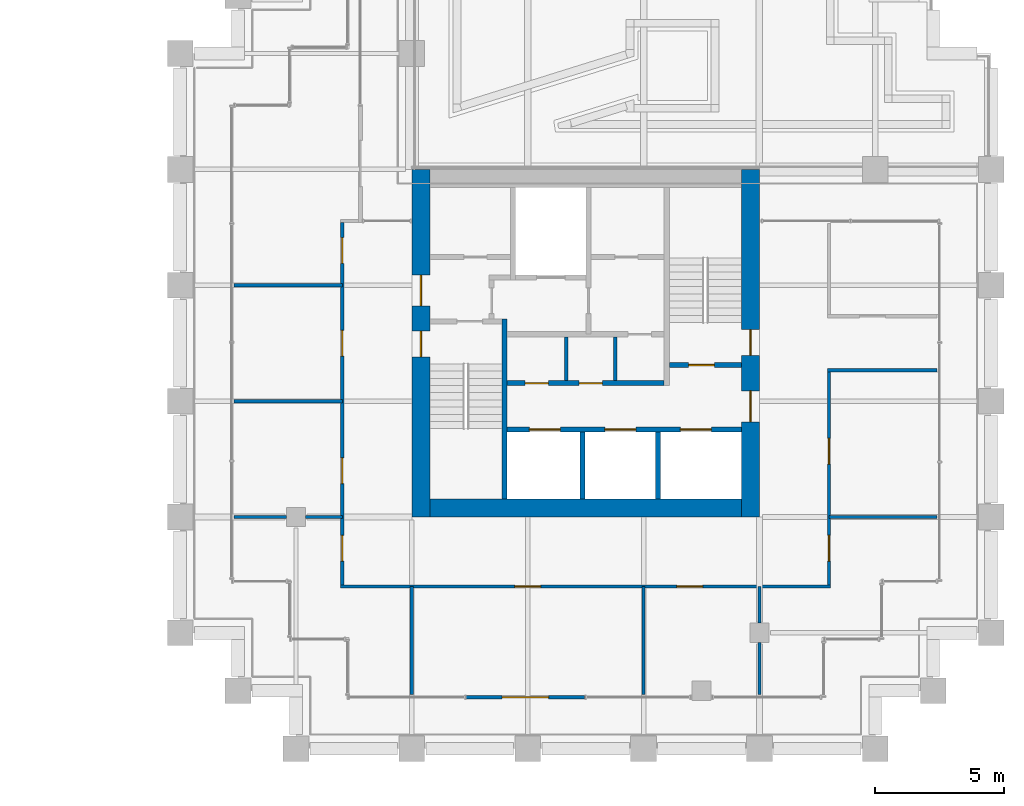
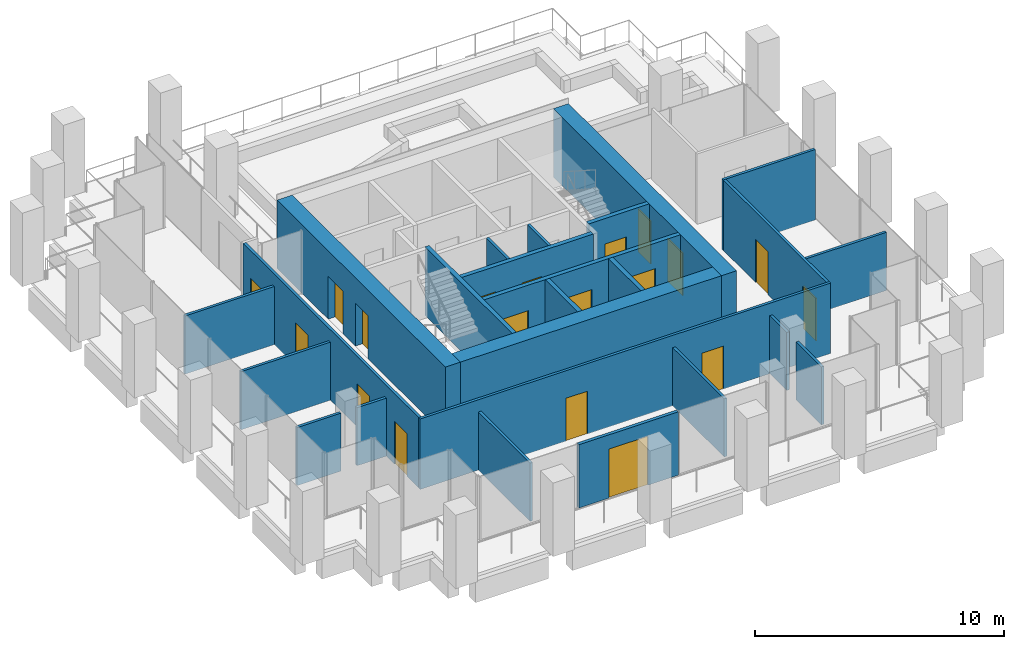
# One storey, part 47 of 52: 25 walls, 19 doors, 19 openings.
"""IFC4 building model written with IfcOpenShell, lengths in metres."""

import ifcopenshell
import ifcopenshell.guid

model = None  # the IFC model being written
_history = None  # IfcOwnerHistory: only IFC2X3 demands one
_inside = {}  # id of a spatial element -> (the spatial element, [elements in it])
_under = {}  # id of a project, library or spatial element -> (it, [spatial elements below it])
_declared = {}  # id of a project -> (the project, [libraries it declares])
_typed = {}  # id of a type object -> (the type object, [elements of that type])
_made_of = {}  # id of a material, layer set ... -> (it, [elements and type objects made of it])


def new_model(schema):
    """Start an empty IFC model of exactly this schema.

    Asked for "IFC4X3", IfcOpenShell would pick the latest addendum, in which some entities
    have other attributes; the version numbers below select the first issue.
    IFC2X3 requires an IfcOwnerHistory on every rooted entity: one is made here for all.
    """
    global model, _history
    if schema == "IFC4X3":
        model = ifcopenshell.file(schema_version=(4, 3, 0, 0))
    else:
        model = ifcopenshell.file(schema=schema)
    _inside.clear()
    _under.clear()
    _declared.clear()
    _typed.clear()
    _made_of.clear()
    _history = None
    if model.schema == "IFC2X3":
        org = make("IfcOrganization", Name="unknown")
        user = make(
            "IfcPersonAndOrganization",
            ThePerson=make("IfcPerson", FamilyName="unknown"),
            TheOrganization=org,
        )
        app = make(
            "IfcApplication",
            ApplicationDeveloper=org,
            Version="unknown",
            ApplicationFullName="unknown",
            ApplicationIdentifier="unknown",
        )
        _history = make(
            "IfcOwnerHistory",
            OwningUser=user,
            OwningApplication=app,
            ChangeAction="ADDED",
            CreationDate=0,
        )
    return model


def make(cls, **values):
    """One entity of the class cls with the attributes given. An attribute that is None is left unset."""
    return model.create_entity(
        cls, **{name: value for name, value in values.items() if value is not None}
    )


def rooted(cls, **values):
    """An entity with a GlobalId (a new one), such as an element, a storey or a relation."""
    return make(cls, GlobalId=ifcopenshell.guid.new(), OwnerHistory=_history, **values)


def si_unit(unit_type, name, prefix=None):
    """IfcSIUnit, for example si_unit("LENGTHUNIT", "METRE", prefix="MILLI")."""
    return make("IfcSIUnit", UnitType=unit_type, Prefix=prefix, Name=name)


def assignment(units):
    """IfcUnitAssignment: the units of a project."""
    return None if units is None else make("IfcUnitAssignment", Units=units)


def point(xyz):
    """IfcCartesianPoint."""
    return None if xyz is None else make("IfcCartesianPoint", Coordinates=xyz)


def direction(xyz):
    """IfcDirection."""
    return None if xyz is None else make("IfcDirection", DirectionRatios=xyz)


def frame(location, z_axis=None, x_axis=None):
    """IfcAxis2Placement3D, a coordinate frame: its origin and axes. An axis left out is left unset."""
    return make(
        "IfcAxis2Placement3D",
        Location=point(location),
        Axis=direction(z_axis),
        RefDirection=direction(x_axis),
    )


def frame_2d(location, x_axis=None):
    """IfcAxis2Placement2D, a coordinate frame in the plane: its origin and x axis."""
    return make(
        "IfcAxis2Placement2D", Location=point(location), RefDirection=direction(x_axis)
    )


def origin():
    """The frame at (0, 0, 0) with its axes left unset."""
    return frame((0.0, 0.0, 0.0))


def place(relative_to, where):
    """IfcLocalPlacement: puts the frame where relative to a parent placement (None: the world)."""
    return make(
        "IfcLocalPlacement", PlacementRelTo=relative_to, RelativePlacement=where
    )


def context(
    kind, dimensions, precision=None, world=None, true_north=None, identifier=None
):
    """IfcGeometricRepresentationContext, for example the 3D "Model" context."""
    return make(
        "IfcGeometricRepresentationContext",
        ContextIdentifier=identifier,
        ContextType=kind,
        CoordinateSpaceDimension=dimensions,
        Precision=precision,
        WorldCoordinateSystem=world,
        TrueNorth=true_north,
    )


def subcontext(parent, identifier, kind, view, scale=None):
    """IfcGeometricRepresentationSubContext, for example "Body" below "Model"."""
    return make(
        "IfcGeometricRepresentationSubContext",
        ContextIdentifier=identifier,
        ContextType=kind,
        ParentContext=parent,
        TargetScale=scale,
        TargetView=view,
    )


def project(units=None, contexts=None):
    """IfcProject with its units and contexts."""
    return rooted(
        "IfcProject",
        Name="project",
        RepresentationContexts=contexts,
        UnitsInContext=assignment(units),
    )


def spatial(cls, under=None, at=None, **own):
    """A site, building, storey or space (cls), placed at a placement, below another one or the project."""
    s = rooted(cls, ObjectPlacement=at, **own)
    if under is not None:
        _under.setdefault(under.id(), (under, []))[1].append(s)
    return s


def profile(cls, at=None, kind="AREA", **sizes):
    """A parametric profile (cls). Its sizes go by their IFC names, for example OverallWidth=200.0."""
    return make(cls, ProfileType=kind, Position=at, **sizes)


def rectangle(**sizes):
    """IfcRectangleProfileDef."""
    return profile("IfcRectangleProfileDef", **sizes)


def extrude(swept, where, along, depth):
    """IfcExtrudedAreaSolid: the profile swept, set in the frame where, extruded along a direction by depth."""
    return make(
        "IfcExtrudedAreaSolid",
        SweptArea=swept,
        Position=where,
        ExtrudedDirection=direction(along),
        Depth=depth,
    )


def shape(context_of_items, identifier, shape_type, items):
    """IfcShapeRepresentation: the items that make up one representation, for example the "Body"."""
    return make(
        "IfcShapeRepresentation",
        ContextOfItems=context_of_items,
        RepresentationIdentifier=identifier,
        RepresentationType=shape_type,
        Items=items,
    )


def material(Name=None, Category=None):
    """IfcMaterial."""
    return make("IfcMaterial", Name=Name, Category=Category)


def layer(
    of_material, thickness, ventilated=None, Name=None, Category=None, Priority=None
):
    """IfcMaterialLayer: one layer of a wall or slab, of a material (None: an air gap)."""
    return make(
        "IfcMaterialLayer",
        Material=of_material,
        LayerThickness=thickness,
        IsVentilated=ventilated,
        Name=Name,
        Category=Category,
        Priority=Priority,
    )


def layer_set(layers, Name=None):
    """IfcMaterialLayerSet."""
    return make("IfcMaterialLayerSet", MaterialLayers=layers, LayerSetName=Name)


def made_of(thing, what):
    """Note that an element or type object is made of a material, layer set ...; save() writes the relation."""
    if what is not None:
        _made_of.setdefault(what.id(), (what, []))[1].append(thing)
    return thing


def type_object(cls, material=None, **own):
    """A type object (cls), such as IfcWallType, which elements share."""
    return made_of(rooted(cls, **own), material)


def element(
    cls,
    number,
    at=None,
    inside=None,
    cuts=None,
    type_object=None,
    material=None,
    context=None,
    identifier="Body",
    shape_type=None,
    held_by="IfcProductDefinitionShape",
    body=None,
    shapes=None,
    **own,
):
    """One element of the class cls, such as IfcWall. Its Tag is "e" and its number.

    at: its placement. inside: the storey or other place that contains it. cuts: it is an
    opening in that element (IfcRelVoidsElement). A single representation is given by context,
    identifier, shape_type and body (its items); several are given by shapes. held_by: the class
    of the entity that holds the representations. save() writes the other relations.
    """
    e = rooted(cls, Tag="e%d" % number, ObjectPlacement=at, **own)
    if body is not None:
        shapes = [shape(context, identifier, shape_type, body)]
    if shapes is not None:
        e.Representation = make(held_by, Representations=shapes)
    if inside is not None:
        _inside.setdefault(inside.id(), (inside, []))[1].append(e)
    if cuts is not None:
        rooted(
            "IfcRelVoidsElement", RelatingBuildingElement=cuts, RelatedOpeningElement=e
        )
    if type_object is not None:
        _typed.setdefault(type_object.id(), (type_object, []))[1].append(e)
    return made_of(e, material)


def fill(opening, filler):
    """IfcRelFillsElement: the door or window that sits in an opening."""
    return rooted(
        "IfcRelFillsElement",
        RelatingOpeningElement=opening,
        RelatedBuildingElement=filler,
    )


def aggregate(whole, parts):
    """IfcRelAggregates: a whole, such as a stair, and the parts it consists of."""
    return rooted("IfcRelAggregates", RelatingObject=whole, RelatedObjects=parts)


def save(model, path):
    """Write the relations noted so far, then the file.

    IfcRelAggregates (storeys below a building ...), IfcRelContainedInSpatialStructure (elements
    in a storey), IfcRelDefinesByType, IfcRelAssociatesMaterial and IfcRelDeclares: one each for
    every whole, place, type object, material and project.
    """
    for whole, parts in _under.values():
        aggregate(whole, parts)
    for where, things in _inside.values():
        rooted(
            "IfcRelContainedInSpatialStructure",
            RelatedElements=things,
            RelatingStructure=where,
        )
    for kind, things in _typed.values():
        rooted("IfcRelDefinesByType", RelatedObjects=things, RelatingType=kind)
    for what, things in _made_of.values():
        rooted("IfcRelAssociatesMaterial", RelatedObjects=things, RelatingMaterial=what)
    for by, libraries in _declared.values():
        rooted("IfcRelDeclares", RelatingContext=by, RelatedDefinitions=libraries)
    model.write(path)


model = new_model("IFC4")

# Units and contexts
model_context = context("Model", 3, precision=1e-05, world=origin(), true_north=direction((0.0, 1.0)))
body_context = subcontext(model_context, "Body", "Model", "MODEL_VIEW")
ifc_project = project(units=[si_unit("LENGTHUNIT", "METRE"), si_unit("AREAUNIT", "SQUARE_METRE"), si_unit("VOLUMEUNIT", "CUBIC_METRE"), si_unit("PLANEANGLEUNIT", "RADIAN"), si_unit("MASSUNIT", "GRAM", prefix="KILO")], contexts=[model_context])

# Site, building, storey
site_placement = place(None, origin())
site = spatial("IfcSite", under=ifc_project, at=site_placement, CompositionType="ELEMENT")
building_placement = place(site_placement, origin())
building = spatial("IfcBuilding", under=site, at=building_placement, Name="Altepetl Exchange Towers", CompositionType="ELEMENT")
storey_placement = place(building_placement, frame((0.0, 0.0, 92.0)))
storey = spatial("IfcBuildingStorey", under=building, at=storey_placement, Name="L22", CompositionType="ELEMENT", Elevation=92.0)

# Wall, openings, doors
ifc_material_1 = material(Name="Concrete C70/85", Category="concrete")
ifc_layer_1 = layer(ifc_material_1, 0.699951171875)
ifc_layer_set_1 = layer_set([ifc_layer_1], Name="Concrete C70/85")
wall_type_1 = type_object("IfcWallType", Name="Core wall 700 reinforced concrete", PredefinedType="SHEAR", material=ifc_layer_set_1)
wall_1_placement = place(storey_placement, frame((116.64990234375, 36.0, 0.0), z_axis=(0.0, 0.0, 1.0), x_axis=(0.0, 1.0, 0.0)))
wall_1 = element("IfcWall", 1, at=wall_1_placement, inside=storey, type_object=wall_type_1, Name="wall:B:L22:K-coreE", PredefinedType="SHEAR", context=body_context, shape_type="SweptSolid", body=[
    extrude(rectangle(XDim=13.5, YDim=0.699951171875, at=frame_2d((6.75, 0.0))), origin(), (0.0, 0.0, 1.0), 3.35009765625),
])
opening_1_placement = place(wall_1_placement, frame((3.699951171875, 0.0, 0.0)))
opening_1 = element("IfcOpeningElement", 2, at=opening_1_placement, cuts=wall_1, Name="Opening L22.B61", PredefinedType="OPENING", context=body_context, shape_type="SweptSolid", body=[
    extrude(rectangle(XDim=1.199951171875, YDim=2.10009765625, at=frame_2d((0.60009765625, 1.050048828125))), frame((0.0, 0.35986328125, 0.0), z_axis=(0.0, -1.0, 0.0), x_axis=(1.0, 0.0, 0.0)), (0.0, 0.0, 1.0), 0.719970703125),
])
opening_2_placement = place(wall_1_placement, frame((6.27490234375, 0.0, 0.0)))
opening_2 = element("IfcOpeningElement", 3, at=opening_2_placement, cuts=wall_1, Name="Opening L22.B65", PredefinedType="OPENING", context=body_context, shape_type="SweptSolid", body=[
    extrude(rectangle(XDim=1.0, YDim=2.10009765625, at=frame_2d((0.5, 1.050048828125))), frame((0.0, 0.35986328125, 0.0), z_axis=(0.0, -1.0, 0.0), x_axis=(1.0, 0.0, 0.0)), (0.0, 0.0, 1.0), 0.719970703125),
])
ifc_material_2 = material(Name="Steel and timber fire door", Category="steel")
door_type_1 = type_object("IfcDoorType", Name="Fire door 1000 x 2100 stair and lobby", OperationType="SINGLE_SWING_LEFT", PredefinedType="DOOR", material=ifc_material_2)
door_1_placement = place(opening_2_placement, origin())
door_1 = element("IfcDoor", 4, at=door_1_placement, inside=storey, type_object=door_type_1, Name="door:B:L22:K-dS2x", OperationType="SINGLE_SWING_LEFT", OverallHeight=2.10009765625, OverallWidth=1.0, PredefinedType="DOOR", context=body_context, shape_type="SweptSolid", body=[
    extrude(rectangle(XDim=1.0, YDim=2.10009765625, at=frame_2d((0.5, 1.050048828125))), frame((0.0, 0.02490234375, 0.0), z_axis=(0.0, -1.0, 0.0), x_axis=(1.0, 0.0, 0.0)), (0.0, 0.0, 1.0), 0.050048828125),
])
fill(opening_2, door_1)
door_type_2 = type_object("IfcDoorType", Name="Fire door 1200 x 2100 lobby entry", OperationType="SINGLE_SWING_LEFT", PredefinedType="DOOR", material=ifc_material_2)
door_2_placement = place(opening_1_placement, origin())
door_2 = element("IfcDoor", 5, at=door_2_placement, inside=storey, type_object=door_type_2, Name="door:B:L22:K-dLSE", OperationType="SINGLE_SWING_RIGHT", OverallHeight=2.10009765625, OverallWidth=1.199951171875, PredefinedType="DOOR", context=body_context, shape_type="SweptSolid", body=[
    extrude(rectangle(XDim=1.199951171875, YDim=2.10009765625, at=frame_2d((0.60009765625, 1.050048828125))), frame((0.0, 0.02490234375, 0.0), z_axis=(0.0, -1.0, 0.0), x_axis=(1.0, 0.0, 0.0)), (0.0, 0.0, 1.0), 0.050048828125),
])
fill(opening_1, door_2)

# Wall
wall_2_placement = place(storey_placement, frame((104.199951171875, 36.35009765625, 0.0)))
element("IfcWall", 6, at=wall_2_placement, inside=storey, type_object=wall_type_1, Name="wall:B:L22:K-coreS", PredefinedType="SHEAR", context=body_context, shape_type="SweptSolid", body=[
    extrude(rectangle(XDim=12.10009765625, YDim=0.699951171875, at=frame_2d((6.050048828125, 0.0))), origin(), (0.0, 0.0, 1.0), 3.35009765625),
])

# Wall, openings, doors
wall_3_placement = place(storey_placement, frame((103.85009765625, 36.0, 0.0), z_axis=(0.0, 0.0, 1.0), x_axis=(0.0, 1.0, 0.0)))
wall_3 = element("IfcWall", 7, at=wall_3_placement, inside=storey, type_object=wall_type_1, Name="wall:B:L22:K-coreW", PredefinedType="SHEAR", context=body_context, shape_type="SweptSolid", body=[
    extrude(rectangle(XDim=13.5, YDim=0.699951171875, at=frame_2d((6.75, 0.0))), origin(), (0.0, 0.0, 1.0), 3.35009765625),
])
opening_3_placement = place(wall_3_placement, frame((8.199951171875, 0.0, 0.0)))
opening_3 = element("IfcOpeningElement", 8, at=opening_3_placement, cuts=wall_3, Name="Opening L22.B60", PredefinedType="OPENING", context=body_context, shape_type="SweptSolid", body=[
    extrude(rectangle(XDim=1.199951171875, YDim=2.10009765625, at=frame_2d((0.60009765625, 1.050048828125))), frame((0.0, 0.35986328125, 0.0), z_axis=(0.0, -1.0, 0.0), x_axis=(1.0, 0.0, 0.0)), (0.0, 0.0, 1.0), 0.719970703125),
])
opening_4_placement = place(wall_3_placement, frame((6.22509765625, 0.0, 0.0)))
opening_4 = element("IfcOpeningElement", 9, at=opening_4_placement, cuts=wall_3, Name="Opening L22.B63", PredefinedType="OPENING", context=body_context, shape_type="SweptSolid", body=[
    extrude(rectangle(XDim=1.0, YDim=2.10009765625, at=frame_2d((0.5, 1.050048828125))), frame((0.0, 0.35986328125, 0.0), z_axis=(0.0, -1.0, 0.0), x_axis=(1.0, 0.0, 0.0)), (0.0, 0.0, 1.0), 0.719970703125),
])
door_3_placement = place(opening_4_placement, frame((1.0, 0.0, 0.0), x_axis=(-1.0, 0.0, 0.0)))
door_3 = element("IfcDoor", 10, at=door_3_placement, inside=storey, type_object=door_type_1, Name="door:B:L22:K-dS1x", OperationType="SINGLE_SWING_RIGHT", OverallHeight=2.10009765625, OverallWidth=1.0, PredefinedType="DOOR", context=body_context, shape_type="SweptSolid", body=[
    extrude(rectangle(XDim=1.0, YDim=2.10009765625, at=frame_2d((0.5, 1.050048828125))), frame((0.0, 0.02490234375, 0.0), z_axis=(0.0, -1.0, 0.0), x_axis=(1.0, 0.0, 0.0)), (0.0, 0.0, 1.0), 0.050048828125),
])
fill(opening_4, door_3)
door_4_placement = place(opening_3_placement, frame((1.199951171875, 0.0, 0.0), x_axis=(-1.0, 0.0, 0.0)))
door_4 = element("IfcDoor", 11, at=door_4_placement, inside=storey, type_object=door_type_2, Name="door:B:L22:K-dLNW", OperationType="SINGLE_SWING_RIGHT", OverallHeight=2.10009765625, OverallWidth=1.199951171875, PredefinedType="DOOR", context=body_context, shape_type="SweptSolid", body=[
    extrude(rectangle(XDim=1.199951171875, YDim=2.10009765625, at=frame_2d((0.60009765625, 1.050048828125))), frame((0.0, 0.02490234375, 0.0), z_axis=(0.0, -1.0, 0.0), x_axis=(1.0, 0.0, 0.0)), (0.0, 0.0, 1.0), 0.050048828125),
])
fill(opening_3, door_4)

# Wall, opening, door
ifc_material_3 = material(Name="Aluminium composite cladding", Category="aluminium")
ifc_layer_2 = layer(ifc_material_3, 0.14990234375)
ifc_layer_set_2 = layer_set([ifc_layer_2], Name="Aluminium composite cladding")
wall_type_2 = type_object("IfcWallType", Name="Infill wall 150 aluminium panel", PredefinedType="SOLIDWALL", material=ifc_layer_set_2)
wall_4_placement = place(storey_placement, frame((105.606201171875, 29.0, 0.0)))
wall_4 = element("IfcWall", 12, at=wall_4_placement, inside=storey, type_object=wall_type_2, Name="Loggia door bay wall", PredefinedType="SOLIDWALL", context=body_context, shape_type="SweptSolid", body=[
    extrude(rectangle(XDim=4.606201171875, YDim=0.14990234375, at=frame_2d((2.30322265625, 0.0))), origin(), (0.0, 0.0, 1.0), 3.10009765625),
])
opening_5_placement = place(wall_4_placement, frame((1.403076171875, 0.0, 0.0)))
opening_5 = element("IfcOpeningElement", 13, at=opening_5_placement, cuts=wall_4, Name="Opening L22.B90", PredefinedType="OPENING", context=body_context, shape_type="SweptSolid", body=[
    extrude(rectangle(XDim=1.800048828125, YDim=2.39990234375, at=frame_2d((0.89990234375, 1.199951171875))), frame((0.0, 0.0849609375, 0.0), z_axis=(0.0, -1.0, 0.0), x_axis=(1.0, 0.0, 0.0)), (0.0, 0.0, 1.0), 0.169921875),
])
ifc_material_4 = material(Name="Aluminium 6063-T6 and glass", Category="aluminium")
door_type_3 = type_object("IfcDoorType", Name="Glazed door pair 1800x2400", OperationType="DOUBLE_DOOR_DOUBLE_SWING", PredefinedType="NOTDEFINED", material=ifc_material_4)
door_5_placement = place(opening_5_placement, frame((1.800048828125, 0.0, 0.0), x_axis=(-1.0, 0.0, 0.0)))
door_5 = element("IfcDoor", 14, at=door_5_placement, inside=storey, type_object=door_type_3, Name="Loggia door", OperationType="DOUBLE_DOOR_DOUBLE_SWING", OverallHeight=2.39990234375, OverallWidth=1.800048828125, PredefinedType="NOTDEFINED", context=body_context, shape_type="SweptSolid", body=[
    extrude(rectangle(XDim=1.800048828125, YDim=2.39990234375, at=frame_2d((0.89990234375, 1.199951171875))), frame((0.0, 0.02490234375, 0.0), z_axis=(0.0, -1.0, 0.0), x_axis=(1.0, 0.0, 0.0)), (0.0, 0.0, 1.0), 0.050048828125),
])
fill(opening_5, door_5)

# Wall, openings, doors
ifc_material_5 = material(Name="Concrete blockwork", Category="masonry")
ifc_layer_3 = layer(ifc_material_5, 0.199951171875)
ifc_layer_set_3 = layer_set([ifc_layer_3], Name="Concrete blockwork")
wall_type_3 = type_object("IfcWallType", Name="Lobby wall 200 blockwork", PredefinedType="PARTITIONING", material=ifc_layer_set_3)
wall_5_placement = place(storey_placement, frame((107.199951171875, 41.199951171875, 0.0)))
wall_5 = element("IfcWall", 15, at=wall_5_placement, inside=storey, type_object=wall_type_3, Name="wall:B:L22:K-zoneS", PredefinedType="PARTITIONING", context=body_context, shape_type="SweptSolid", body=[
    extrude(rectangle(XDim=6.10009765625, YDim=0.199951171875, at=frame_2d((3.050048828125, 0.0))), origin(), (0.0, 0.0, 1.0), 3.35009765625),
])
opening_6_placement = place(wall_5_placement, frame((0.699951171875, 0.0, 0.0)))
opening_6 = element("IfcOpeningElement", 16, at=opening_6_placement, cuts=wall_5, Name="Opening L22.B70", PredefinedType="OPENING", context=body_context, shape_type="SweptSolid", body=[
    extrude(rectangle(XDim=0.89990234375, YDim=2.10009765625, at=frame_2d((0.449951171875, 1.050048828125))), frame((0.0, 0.10986328125, 0.0), z_axis=(0.0, -1.0, 0.0), x_axis=(1.0, 0.0, 0.0)), (0.0, 0.0, 1.0), 0.219970703125),
])
opening_7_placement = place(wall_5_placement, frame((2.800048828125, 0.0, 0.0)))
opening_7 = element("IfcOpeningElement", 17, at=opening_7_placement, cuts=wall_5, Name="Opening L22.B71", PredefinedType="OPENING", context=body_context, shape_type="SweptSolid", body=[
    extrude(rectangle(XDim=0.89990234375, YDim=2.10009765625, at=frame_2d((0.449951171875, 1.050048828125))), frame((0.0, 0.10986328125, 0.0), z_axis=(0.0, -1.0, 0.0), x_axis=(1.0, 0.0, 0.0)), (0.0, 0.0, 1.0), 0.219970703125),
])
door_type_4 = type_object("IfcDoorType", Name="Fire door 900 x 2100 service room", OperationType="SINGLE_SWING_LEFT", PredefinedType="DOOR", material=ifc_material_2)
door_6_placement = place(opening_6_placement, origin())
door_6 = element("IfcDoor", 18, at=door_6_placement, inside=storey, type_object=door_type_4, Name="door:B:L22:K-dz1", OperationType="SINGLE_SWING_RIGHT", OverallHeight=2.10009765625, OverallWidth=0.89990234375, PredefinedType="DOOR", context=body_context, shape_type="SweptSolid", body=[
    extrude(rectangle(XDim=0.89990234375, YDim=2.10009765625, at=frame_2d((0.449951171875, 1.050048828125))), frame((0.0, 0.02490234375, 0.0), z_axis=(0.0, -1.0, 0.0), x_axis=(1.0, 0.0, 0.0)), (0.0, 0.0, 1.0), 0.050048828125),
])
fill(opening_6, door_6)
door_7_placement = place(opening_7_placement, origin())
door_7 = element("IfcDoor", 19, at=door_7_placement, inside=storey, type_object=door_type_4, Name="door:B:L22:K-dz2", OperationType="SINGLE_SWING_RIGHT", OverallHeight=2.10009765625, OverallWidth=0.89990234375, PredefinedType="DOOR", context=body_context, shape_type="SweptSolid", body=[
    extrude(rectangle(XDim=0.89990234375, YDim=2.10009765625, at=frame_2d((0.449951171875, 1.050048828125))), frame((0.0, 0.02490234375, 0.0), z_axis=(0.0, -1.0, 0.0), x_axis=(1.0, 0.0, 0.0)), (0.0, 0.0, 1.0), 0.050048828125),
])
fill(opening_7, door_7)

# Walls
ifc_material_6 = material(Name="Timber panels on aluminium track", Category="wood")
ifc_layer_4 = layer(ifc_material_6, 0.125)
ifc_layer_set_4 = layer_set([ifc_layer_4], Name="Timber panels on aluminium track")
wall_type_4 = type_object("IfcWallType", Name="Operable acoustic partition 125", PredefinedType="MOVABLE", material=ifc_layer_set_4)
wall_6_placement = place(storey_placement, frame((96.60009765625, 40.5, 0.0)))
element("IfcWall", 20, at=wall_6_placement, inside=storey, type_object=wall_type_4, Name="wall:B:L22:P05", PredefinedType="MOVABLE", context=body_context, shape_type="SweptSolid", body=[
    extrude(rectangle(XDim=4.199951171875, YDim=0.125, at=frame_2d((2.10009765625, 0.0))), origin(), (0.0, 0.0, 1.0), 2.85107421875),
])
ifc_material_7 = material(Name="Gypsum board on steel studs", Category="steel")
ifc_layer_5 = layer(ifc_material_7, 0.125)
ifc_layer_set_5 = layer_set([ifc_layer_5], Name="Gypsum board on steel studs")
wall_type_5 = type_object("IfcWallType", Name="Partition 125 gypsum board on steel studs", PredefinedType="PARTITIONING", material=ifc_layer_set_5)
for number, where, z_axis, x_axis, name in (
    (21, (109.5, 41.300048828125, 0.0), (0.0, 0.0, 1.0), (0.0, 1.0, 0.0), "wall:B:L22:K-zp1"),
    (22, (111.39990234375, 41.300048828125, 0.0), (0.0, 0.0, 1.0), (0.0, 1.0, 0.0), "wall:B:L22:K-zp2"),
):
    element("IfcWall", number, at=place(storey_placement, frame(where, z_axis=z_axis, x_axis=x_axis)), inside=storey, type_object=wall_type_5, Name=name, PredefinedType="PARTITIONING", context=body_context, shape_type="SweptSolid", body=[
        extrude(rectangle(XDim=1.699951171875, YDim=0.125, at=frame_2d((0.85009765625, 0.0))), origin(), (0.0, 0.0, 1.0), 3.35009765625),
    ])

# Wall, openings, doors
wall_7_placement = place(storey_placement, frame((100.737548828125, 33.300048828125, 0.0)))
wall_7 = element("IfcWall", 23, at=wall_7_placement, inside=storey, type_object=wall_type_5, Name="wall:B:L22:P01", PredefinedType="PARTITIONING", context=body_context, shape_type="SweptSolid", body=[
    extrude(rectangle(XDim=19.02490234375, YDim=0.125, at=frame_2d((9.512451171875, 0.0))), origin(), (0.0, 0.0, 1.0), 3.449951171875),
])
opening_8_placement = place(wall_7_placement, frame((6.762451171875, 0.0, 0.0)))
opening_8 = element("IfcOpeningElement", 24, at=opening_8_placement, cuts=wall_7, Name="Opening L22.B04", PredefinedType="OPENING", context=body_context, shape_type="SweptSolid", body=[
    extrude(rectangle(XDim=1.0, YDim=2.10009765625, at=frame_2d((0.5, 1.050048828125))), frame((0.0, 0.072509765625, 0.0), z_axis=(0.0, -1.0, 0.0), x_axis=(1.0, 0.0, 0.0)), (0.0, 0.0, 1.0), 0.14501953125),
])
opening_9_placement = place(wall_7_placement, frame((13.0576171875, 0.0, 0.0)))
opening_9 = element("IfcOpeningElement", 25, at=opening_9_placement, cuts=wall_7, Name="Opening L22.B05", PredefinedType="OPENING", context=body_context, shape_type="SweptSolid", body=[
    extrude(rectangle(XDim=1.0, YDim=2.10009765625, at=frame_2d((0.5, 1.050048828125))), frame((0.0, 0.072509765625, 0.0), z_axis=(0.0, -1.0, 0.0), x_axis=(1.0, 0.0, 0.0)), (0.0, 0.0, 1.0), 0.14501953125),
])
door_type_5 = type_object("IfcDoorType", Name="Fire door 1000 x 2100 single leaf", OperationType="SINGLE_SWING_LEFT", PredefinedType="DOOR", material=ifc_material_2)
door_8_placement = place(opening_8_placement, frame((1.0, 0.0, 0.0), x_axis=(-1.0, 0.0, 0.0)))
door_8 = element("IfcDoor", 26, at=door_8_placement, inside=storey, type_object=door_type_5, Name="door:B:L22:04", OperationType="SINGLE_SWING_RIGHT", OverallHeight=2.10009765625, OverallWidth=1.0, PredefinedType="DOOR", context=body_context, shape_type="SweptSolid", body=[
    extrude(rectangle(XDim=1.0, YDim=2.10009765625, at=frame_2d((0.5, 1.050048828125))), frame((0.0, 0.02490234375, 0.0), z_axis=(0.0, -1.0, 0.0), x_axis=(1.0, 0.0, 0.0)), (0.0, 0.0, 1.0), 0.050048828125),
])
fill(opening_8, door_8)
door_9_placement = place(opening_9_placement, frame((1.0, 0.0, 0.0), x_axis=(-1.0, 0.0, 0.0)))
door_9 = element("IfcDoor", 27, at=door_9_placement, inside=storey, type_object=door_type_5, Name="door:B:L22:05", OperationType="SINGLE_SWING_RIGHT", OverallHeight=2.10009765625, OverallWidth=1.0, PredefinedType="DOOR", context=body_context, shape_type="SweptSolid", body=[
    extrude(rectangle(XDim=1.0, YDim=2.10009765625, at=frame_2d((0.5, 1.050048828125))), frame((0.0, 0.02490234375, 0.0), z_axis=(0.0, -1.0, 0.0), x_axis=(1.0, 0.0, 0.0)), (0.0, 0.0, 1.0), 0.050048828125),
])
fill(opening_9, door_9)

# Walls
wall_8_placement = place(storey_placement, frame((96.60009765625, 36.0, 0.0)))
element("IfcWall", 28, at=wall_8_placement, inside=storey, type_object=wall_type_5, Name="wall:B:L22:P02", PredefinedType="PARTITIONING", context=body_context, shape_type="SweptSolid", body=[
    extrude(rectangle(XDim=2.02490234375, YDim=0.125, at=frame_2d((1.012451171875, 0.0))), origin(), (0.0, 0.0, 1.0), 2.842041015625),
])
wall_9_placement = place(storey_placement, frame((99.375, 36.0, 0.0)))
element("IfcWall", 29, at=wall_9_placement, inside=storey, type_object=wall_type_5, Name="wall:B:L22:P03", PredefinedType="PARTITIONING", context=body_context, shape_type="SweptSolid", body=[
    extrude(rectangle(XDim=1.425048828125, YDim=0.125, at=frame_2d((0.71240234375, 0.0))), origin(), (0.0, 0.0, 1.0), 2.842041015625),
])
wall_10_placement = place(storey_placement, frame((119.699951171875, 36.0, 0.0)))
element("IfcWall", 30, at=wall_10_placement, inside=storey, type_object=wall_type_5, Name="wall:B:L22:P04", PredefinedType="PARTITIONING", context=body_context, shape_type="SweptSolid", body=[
    extrude(rectangle(XDim=4.199951171875, YDim=0.125, at=frame_2d((2.10009765625, 0.0))), origin(), (0.0, 0.0, 1.0), 2.85107421875),
])
wall_11_placement = place(storey_placement, frame((119.637451171875, 41.699951171875, 0.0)))
element("IfcWall", 31, at=wall_11_placement, inside=storey, type_object=wall_type_5, Name="wall:B:L22:P06", PredefinedType="PARTITIONING", context=body_context, shape_type="SweptSolid", body=[
    extrude(rectangle(XDim=4.262451171875, YDim=0.125, at=frame_2d((2.13134765625, 0.0))), origin(), (0.0, 0.0, 1.0), 3.449951171875),
])
wall_12_placement = place(storey_placement, frame((96.60009765625, 45.0, 0.0)))
element("IfcWall", 32, at=wall_12_placement, inside=storey, type_object=wall_type_5, Name="wall:B:L22:P08", PredefinedType="PARTITIONING", context=body_context, shape_type="SweptSolid", body=[
    extrude(rectangle(XDim=4.199951171875, YDim=0.125, at=frame_2d((2.10009765625, 0.0))), origin(), (0.0, 0.0, 1.0), 2.85107421875),
])

# Wall, openings, doors
wall_13_placement = place(storey_placement, frame((100.800048828125, 33.362548828125, 0.0), z_axis=(0.0, 0.0, 1.0), x_axis=(0.0, 1.0, 0.0)))
wall_13 = element("IfcWall", 33, at=wall_13_placement, inside=storey, type_object=wall_type_5, Name="wall:B:L22:P10", PredefinedType="PARTITIONING", context=body_context, shape_type="SweptSolid", body=[
    extrude(rectangle(XDim=14.074951171875, YDim=0.125, at=frame_2d((7.03759765625, 0.0))), origin(), (0.0, 0.0, 1.0), 3.449951171875),
])
opening_10_placement = place(wall_13_placement, frame((8.887451171875, 0.0, 0.0)))
opening_10 = element("IfcOpeningElement", 34, at=opening_10_placement, cuts=wall_13, Name="Opening L22.B01", PredefinedType="OPENING", context=body_context, shape_type="SweptSolid", body=[
    extrude(rectangle(XDim=1.0, YDim=2.10009765625, at=frame_2d((0.5, 1.050048828125))), frame((0.0, 0.072509765625, 0.0), z_axis=(0.0, -1.0, 0.0), x_axis=(1.0, 0.0, 0.0)), (0.0, 0.0, 1.0), 0.14501953125),
])
opening_11_placement = place(wall_13_placement, frame((3.9326171875, 0.0, 0.0)))
opening_11 = element("IfcOpeningElement", 35, at=opening_11_placement, cuts=wall_13, Name="Opening L22.B02", PredefinedType="OPENING", context=body_context, shape_type="SweptSolid", body=[
    extrude(rectangle(XDim=1.0, YDim=2.10009765625, at=frame_2d((0.5, 1.050048828125))), frame((0.0, 0.072509765625, 0.0), z_axis=(0.0, -1.0, 0.0), x_axis=(1.0, 0.0, 0.0)), (0.0, 0.0, 1.0), 0.14501953125),
])
opening_12_placement = place(wall_13_placement, frame((0.927490234375, 0.0, 0.0)))
opening_12 = element("IfcOpeningElement", 36, at=opening_12_placement, cuts=wall_13, Name="Opening L22.B03", PredefinedType="OPENING", context=body_context, shape_type="SweptSolid", body=[
    extrude(rectangle(XDim=1.0, YDim=2.10009765625, at=frame_2d((0.5, 1.050048828125))), frame((0.0, 0.072509765625, 0.0), z_axis=(0.0, -1.0, 0.0), x_axis=(1.0, 0.0, 0.0)), (0.0, 0.0, 1.0), 0.14501953125),
])
opening_13_placement = place(wall_13_placement, frame((12.492431640625, 0.0, 0.0)))
opening_13 = element("IfcOpeningElement", 37, at=opening_13_placement, cuts=wall_13, Name="Opening L22.B09", PredefinedType="OPENING", context=body_context, shape_type="SweptSolid", body=[
    extrude(rectangle(XDim=1.0, YDim=2.10009765625, at=frame_2d((0.5, 1.050048828125))), frame((0.0, 0.072509765625, 0.0), z_axis=(0.0, -1.0, 0.0), x_axis=(1.0, 0.0, 0.0)), (0.0, 0.0, 1.0), 0.14501953125),
])
door_10_placement = place(opening_10_placement, origin())
door_10 = element("IfcDoor", 38, at=door_10_placement, inside=storey, type_object=door_type_5, Name="door:B:L22:01", OperationType="SINGLE_SWING_RIGHT", OverallHeight=2.10009765625, OverallWidth=1.0, PredefinedType="DOOR", context=body_context, shape_type="SweptSolid", body=[
    extrude(rectangle(XDim=1.0, YDim=2.10009765625, at=frame_2d((0.5, 1.050048828125))), frame((0.0, 0.02490234375, 0.0), z_axis=(0.0, -1.0, 0.0), x_axis=(1.0, 0.0, 0.0)), (0.0, 0.0, 1.0), 0.050048828125),
])
fill(opening_10, door_10)
door_11_placement = place(opening_11_placement, origin())
door_11 = element("IfcDoor", 39, at=door_11_placement, inside=storey, type_object=door_type_5, Name="door:B:L22:02", OperationType="SINGLE_SWING_LEFT", OverallHeight=2.10009765625, OverallWidth=1.0, PredefinedType="DOOR", context=body_context, shape_type="SweptSolid", body=[
    extrude(rectangle(XDim=1.0, YDim=2.10009765625, at=frame_2d((0.5, 1.050048828125))), frame((0.0, 0.02490234375, 0.0), z_axis=(0.0, -1.0, 0.0), x_axis=(1.0, 0.0, 0.0)), (0.0, 0.0, 1.0), 0.050048828125),
])
fill(opening_11, door_11)
door_12_placement = place(opening_12_placement, frame((1.0, 0.0, 0.0), x_axis=(-1.0, 0.0, 0.0)))
door_12 = element("IfcDoor", 40, at=door_12_placement, inside=storey, type_object=door_type_5, Name="door:B:L22:03", OperationType="SINGLE_SWING_RIGHT", OverallHeight=2.10009765625, OverallWidth=1.0, PredefinedType="DOOR", context=body_context, shape_type="SweptSolid", body=[
    extrude(rectangle(XDim=1.0, YDim=2.10009765625, at=frame_2d((0.5, 1.050048828125))), frame((0.0, 0.02490234375, 0.0), z_axis=(0.0, -1.0, 0.0), x_axis=(1.0, 0.0, 0.0)), (0.0, 0.0, 1.0), 0.050048828125),
])
fill(opening_12, door_12)
door_13_placement = place(opening_13_placement, origin())
door_13 = element("IfcDoor", 41, at=door_13_placement, inside=storey, type_object=door_type_5, Name="door:B:L22:09", OperationType="SINGLE_SWING_RIGHT", OverallHeight=2.10009765625, OverallWidth=1.0, PredefinedType="DOOR", context=body_context, shape_type="SweptSolid", body=[
    extrude(rectangle(XDim=1.0, YDim=2.10009765625, at=frame_2d((0.5, 1.050048828125))), frame((0.0, 0.02490234375, 0.0), z_axis=(0.0, -1.0, 0.0), x_axis=(1.0, 0.0, 0.0)), (0.0, 0.0, 1.0), 0.050048828125),
])
fill(opening_13, door_13)

# Walls
for number, where, z_axis, x_axis, name in (
    (42, (103.5, 29.10009765625, 0.0), (0.0, 0.0, 1.0), (0.0, 1.0, 0.0), "wall:B:L22:P11"),
    (43, (112.5, 29.10009765625, 0.0), (0.0, 0.0, 1.0), (0.0, 1.0, 0.0), "wall:B:L22:P12"),
):
    element("IfcWall", number, at=place(storey_placement, frame(where, z_axis=z_axis, x_axis=x_axis)), inside=storey, type_object=wall_type_5, Name=name, PredefinedType="PARTITIONING", context=body_context, shape_type="SweptSolid", body=[
        extrude(rectangle(XDim=4.199951171875, YDim=0.125, at=frame_2d((2.10009765625, 0.0))), origin(), (0.0, 0.0, 1.0), 2.85107421875),
    ])
wall_14_placement = place(storey_placement, frame((117.0, 29.10009765625, 0.0), z_axis=(0.0, 0.0, 1.0), x_axis=(0.0, 1.0, 0.0)))
element("IfcWall", 44, at=wall_14_placement, inside=storey, type_object=wall_type_5, Name="wall:B:L22:P13", PredefinedType="PARTITIONING", context=body_context, shape_type="SweptSolid", body=[
    extrude(rectangle(XDim=2.02490234375, YDim=0.125, at=frame_2d((1.012451171875, 0.0))), origin(), (0.0, 0.0, 1.0), 2.842041015625),
])
wall_15_placement = place(storey_placement, frame((117.0, 31.875, 0.0), z_axis=(0.0, 0.0, 1.0), x_axis=(0.0, 1.0, 0.0)))
element("IfcWall", 45, at=wall_15_placement, inside=storey, type_object=wall_type_5, Name="wall:B:L22:P14", PredefinedType="PARTITIONING", context=body_context, shape_type="SweptSolid", body=[
    extrude(rectangle(XDim=1.425048828125, YDim=0.125, at=frame_2d((0.71240234375, 0.0))), origin(), (0.0, 0.0, 1.0), 2.842041015625),
])

# Wall, openings, doors
wall_16_placement = place(storey_placement, frame((119.699951171875, 33.362548828125, 0.0), z_axis=(0.0, 0.0, 1.0), x_axis=(0.0, 1.0, 0.0)))
wall_16 = element("IfcWall", 46, at=wall_16_placement, inside=storey, type_object=wall_type_5, Name="wall:B:L22:P15", PredefinedType="PARTITIONING", context=body_context, shape_type="SweptSolid", body=[
    extrude(rectangle(XDim=8.27490234375, YDim=0.125, at=frame_2d((4.137451171875, 0.0))), origin(), (0.0, 0.0, 1.0), 3.449951171875),
])
opening_14_placement = place(wall_16_placement, frame((0.927490234375, 0.0, 0.0)))
opening_14 = element("IfcOpeningElement", 47, at=opening_14_placement, cuts=wall_16, Name="Opening L22.B06", PredefinedType="OPENING", context=body_context, shape_type="SweptSolid", body=[
    extrude(rectangle(XDim=1.0, YDim=2.10009765625, at=frame_2d((0.5, 1.050048828125))), frame((0.0, 0.072509765625, 0.0), z_axis=(0.0, -1.0, 0.0), x_axis=(1.0, 0.0, 0.0)), (0.0, 0.0, 1.0), 0.14501953125),
])
opening_15_placement = place(wall_16_placement, frame((4.6875, 0.0, 0.0)))
opening_15 = element("IfcOpeningElement", 48, at=opening_15_placement, cuts=wall_16, Name="Opening L22.B07", PredefinedType="OPENING", context=body_context, shape_type="SweptSolid", body=[
    extrude(rectangle(XDim=1.0, YDim=2.10009765625, at=frame_2d((0.5, 1.050048828125))), frame((0.0, 0.072509765625, 0.0), z_axis=(0.0, -1.0, 0.0), x_axis=(1.0, 0.0, 0.0)), (0.0, 0.0, 1.0), 0.14501953125),
])
door_14_placement = place(opening_14_placement, origin())
door_14 = element("IfcDoor", 49, at=door_14_placement, inside=storey, type_object=door_type_5, Name="door:B:L22:06", OperationType="SINGLE_SWING_LEFT", OverallHeight=2.10009765625, OverallWidth=1.0, PredefinedType="DOOR", context=body_context, shape_type="SweptSolid", body=[
    extrude(rectangle(XDim=1.0, YDim=2.10009765625, at=frame_2d((0.5, 1.050048828125))), frame((0.0, 0.02490234375, 0.0), z_axis=(0.0, -1.0, 0.0), x_axis=(1.0, 0.0, 0.0)), (0.0, 0.0, 1.0), 0.050048828125),
])
fill(opening_14, door_14)
door_15_placement = place(opening_15_placement, frame((1.0, 0.0, 0.0), x_axis=(-1.0, 0.0, 0.0)))
door_15 = element("IfcDoor", 50, at=door_15_placement, inside=storey, type_object=door_type_5, Name="door:B:L22:07", OperationType="SINGLE_SWING_LEFT", OverallHeight=2.10009765625, OverallWidth=1.0, PredefinedType="DOOR", context=body_context, shape_type="SweptSolid", body=[
    extrude(rectangle(XDim=1.0, YDim=2.10009765625, at=frame_2d((0.5, 1.050048828125))), frame((0.0, 0.02490234375, 0.0), z_axis=(0.0, -1.0, 0.0), x_axis=(1.0, 0.0, 0.0)), (0.0, 0.0, 1.0), 0.050048828125),
])
fill(opening_15, door_15)

# Walls
ifc_material_8 = material(Name="Concrete C40/50", Category="concrete")
ifc_layer_6 = layer(ifc_material_8, 0.199951171875)
ifc_layer_set_6 = layer_set([ifc_layer_6], Name="Concrete C40/50")
wall_type_6 = type_object("IfcWallType", Name="Shaft wall 200 reinforced concrete", PredefinedType="SHEAR", material=ifc_layer_set_6)
for number, where, z_axis, x_axis, name in (
    (51, (110.13330078125, 36.699951171875, 0.0), (0.0, 0.0, 1.0), (0.0, 1.0, 0.0), "wall:B:L22:K-divS1"),
    (52, (113.066650390625, 36.699951171875, 0.0), (0.0, 0.0, 1.0), (0.0, 1.0, 0.0), "wall:B:L22:K-divS2"),
):
    element("IfcWall", number, at=place(storey_placement, frame(where, z_axis=z_axis, x_axis=x_axis)), inside=storey, type_object=wall_type_6, Name=name, PredefinedType="SHEAR", context=body_context, shape_type="SweptSolid", body=[
        extrude(rectangle(XDim=2.60009765625, YDim=0.199951171875, at=frame_2d((1.300048828125, 0.0))), origin(), (0.0, 0.0, 1.0), 3.35009765625),
    ])

# Wall, openings, doors
wall_17_placement = place(storey_placement, frame((107.199951171875, 39.39990234375, 0.0)))
wall_17 = element("IfcWall", 53, at=wall_17_placement, inside=storey, type_object=wall_type_6, Name="wall:B:L22:K-frontS", PredefinedType="SHEAR", context=body_context, shape_type="SweptSolid", body=[
    extrude(rectangle(XDim=9.10009765625, YDim=0.199951171875, at=frame_2d((4.550048828125, 0.0))), origin(), (0.0, 0.0, 1.0), 3.35009765625),
])
opening_16_placement = place(wall_17_placement, frame((0.86669921875, 0.0, 0.0)))
opening_16 = element("IfcOpeningElement", 54, at=opening_16_placement, cuts=wall_17, Name="Opening L22.B74", PredefinedType="OPENING", context=body_context, shape_type="SweptSolid", body=[
    extrude(rectangle(XDim=1.199951171875, YDim=2.10009765625, at=frame_2d((0.60009765625, 1.050048828125))), frame((0.0, 0.10986328125, 0.0), z_axis=(0.0, -1.0, 0.0), x_axis=(1.0, 0.0, 0.0)), (0.0, 0.0, 1.0), 0.219970703125),
])
opening_17_placement = place(wall_17_placement, frame((3.800048828125, 0.0, 0.0)))
opening_17 = element("IfcOpeningElement", 55, at=opening_17_placement, cuts=wall_17, Name="Opening L22.B75", PredefinedType="OPENING", context=body_context, shape_type="SweptSolid", body=[
    extrude(rectangle(XDim=1.199951171875, YDim=2.10009765625, at=frame_2d((0.60009765625, 1.050048828125))), frame((0.0, 0.10986328125, 0.0), z_axis=(0.0, -1.0, 0.0), x_axis=(1.0, 0.0, 0.0)), (0.0, 0.0, 1.0), 0.219970703125),
])
opening_18_placement = place(wall_17_placement, frame((6.7333984375, 0.0, 0.0)))
opening_18 = element("IfcOpeningElement", 56, at=opening_18_placement, cuts=wall_17, Name="Opening L22.B76", PredefinedType="OPENING", context=body_context, shape_type="SweptSolid", body=[
    extrude(rectangle(XDim=1.199951171875, YDim=2.10009765625, at=frame_2d((0.60009765625, 1.050048828125))), frame((0.0, 0.10986328125, 0.0), z_axis=(0.0, -1.0, 0.0), x_axis=(1.0, 0.0, 0.0)), (0.0, 0.0, 1.0), 0.219970703125),
])
ifc_material_9 = material(Name="Stainless steel", Category="steel")
door_type_6 = type_object("IfcDoorType", Name="Lift landing door 1200 x 2100", OperationType="SLIDING_TO_LEFT", PredefinedType="DOOR", material=ifc_material_9)
door_16_placement = place(opening_16_placement, origin())
door_16 = element("IfcDoor", 57, at=door_16_placement, inside=storey, type_object=door_type_6, Name="Landing door P1", OperationType="SLIDING_TO_LEFT", OverallHeight=2.10009765625, OverallWidth=1.199951171875, PredefinedType="DOOR", context=body_context, shape_type="SweptSolid", body=[
    extrude(rectangle(XDim=1.199951171875, YDim=2.10009765625, at=frame_2d((0.60009765625, 1.050048828125))), frame((0.0, 0.02490234375, 0.0), z_axis=(0.0, -1.0, 0.0), x_axis=(1.0, 0.0, 0.0)), (0.0, 0.0, 1.0), 0.050048828125),
])
fill(opening_16, door_16)
door_17_placement = place(opening_17_placement, origin())
door_17 = element("IfcDoor", 58, at=door_17_placement, inside=storey, type_object=door_type_6, Name="Landing door P2", OperationType="SLIDING_TO_LEFT", OverallHeight=2.10009765625, OverallWidth=1.199951171875, PredefinedType="DOOR", context=body_context, shape_type="SweptSolid", body=[
    extrude(rectangle(XDim=1.199951171875, YDim=2.10009765625, at=frame_2d((0.60009765625, 1.050048828125))), frame((0.0, 0.02490234375, 0.0), z_axis=(0.0, -1.0, 0.0), x_axis=(1.0, 0.0, 0.0)), (0.0, 0.0, 1.0), 0.050048828125),
])
fill(opening_17, door_17)
door_18_placement = place(opening_18_placement, origin())
door_18 = element("IfcDoor", 59, at=door_18_placement, inside=storey, type_object=door_type_6, Name="Landing door P3", OperationType="SLIDING_TO_LEFT", OverallHeight=2.10009765625, OverallWidth=1.199951171875, PredefinedType="DOOR", context=body_context, shape_type="SweptSolid", body=[
    extrude(rectangle(XDim=1.199951171875, YDim=2.10009765625, at=frame_2d((0.60009765625, 1.050048828125))), frame((0.0, 0.02490234375, 0.0), z_axis=(0.0, -1.0, 0.0), x_axis=(1.0, 0.0, 0.0)), (0.0, 0.0, 1.0), 0.050048828125),
])
fill(opening_18, door_18)

# Wall
ifc_layer_7 = layer(ifc_material_8, 0.199951171875)
ifc_layer_set_7 = layer_set([ifc_layer_7], Name="Concrete C40/50")
wall_type_7 = type_object("IfcWallType", Name="Stair wall 200 reinforced concrete", PredefinedType="SHEAR", material=ifc_layer_set_7)
wall_18_placement = place(storey_placement, frame((107.10009765625, 36.699951171875, 0.0), z_axis=(0.0, 0.0, 1.0), x_axis=(0.0, 1.0, 0.0)))
element("IfcWall", 60, at=wall_18_placement, inside=storey, type_object=wall_type_7, Name="wall:B:L22:K-stS1E", PredefinedType="SHEAR", context=body_context, shape_type="SweptSolid", body=[
    extrude(rectangle(XDim=7.0, YDim=0.199951171875, at=frame_2d((3.5, 0.0))), origin(), (0.0, 0.0, 1.0), 3.35009765625),
])

# Wall, opening, door
wall_19_placement = place(storey_placement, frame((113.5, 41.89990234375, 0.0)))
wall_19 = element("IfcWall", 61, at=wall_19_placement, inside=storey, type_object=wall_type_7, Name="wall:B:L22:K-stS2S", PredefinedType="SHEAR", context=body_context, shape_type="SweptSolid", body=[
    extrude(rectangle(XDim=2.800048828125, YDim=0.199951171875, at=frame_2d((1.39990234375, 0.0))), origin(), (0.0, 0.0, 1.0), 3.35009765625),
])
opening_19_placement = place(wall_19_placement, frame((0.75, 0.0, 0.0)))
opening_19 = element("IfcOpeningElement", 62, at=opening_19_placement, cuts=wall_19, Name="Opening L22.B64", PredefinedType="OPENING", context=body_context, shape_type="SweptSolid", body=[
    extrude(rectangle(XDim=1.0, YDim=2.10009765625, at=frame_2d((0.5, 1.050048828125))), frame((0.0, 0.10986328125, 0.0), z_axis=(0.0, -1.0, 0.0), x_axis=(1.0, 0.0, 0.0)), (0.0, 0.0, 1.0), 0.219970703125),
])
door_19_placement = place(opening_19_placement, origin())
door_19 = element("IfcDoor", 63, at=door_19_placement, inside=storey, type_object=door_type_1, Name="door:B:L22:K-dS2in", OperationType="SINGLE_SWING_RIGHT", OverallHeight=2.10009765625, OverallWidth=1.0, PredefinedType="DOOR", context=body_context, shape_type="SweptSolid", body=[
    extrude(rectangle(XDim=1.0, YDim=2.10009765625, at=frame_2d((0.5, 1.050048828125))), frame((0.0, 0.02490234375, 0.0), z_axis=(0.0, -1.0, 0.0), x_axis=(1.0, 0.0, 0.0)), (0.0, 0.0, 1.0), 0.050048828125),
])
fill(opening_19, door_19)

save(model, "model.ifc")
